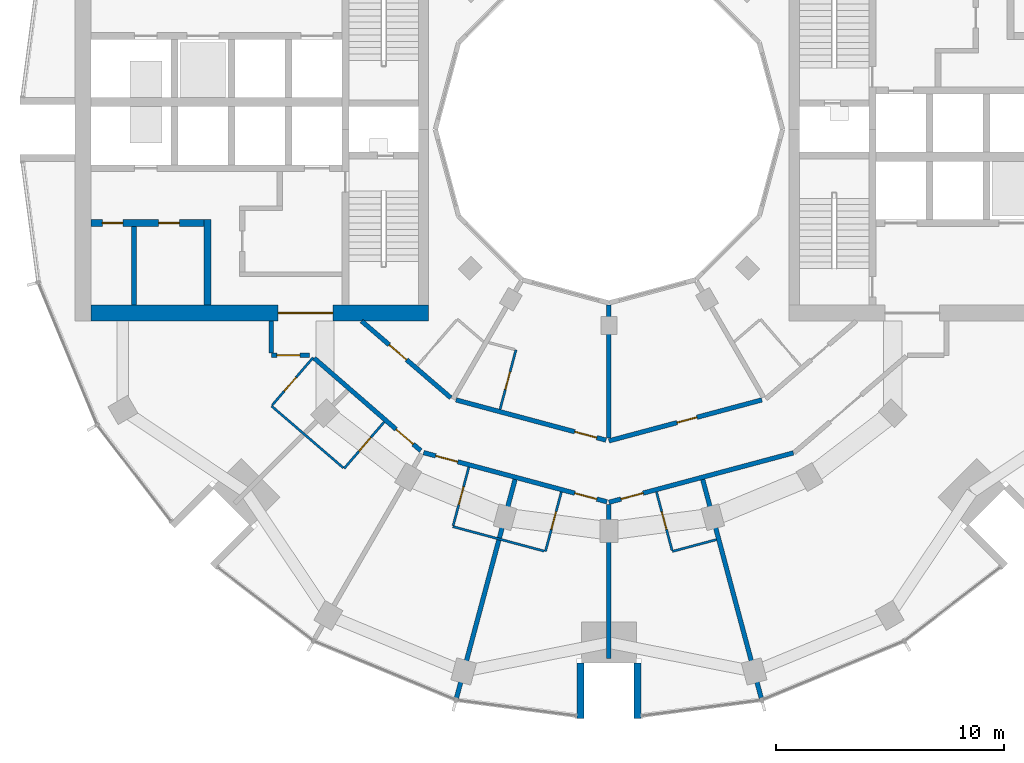
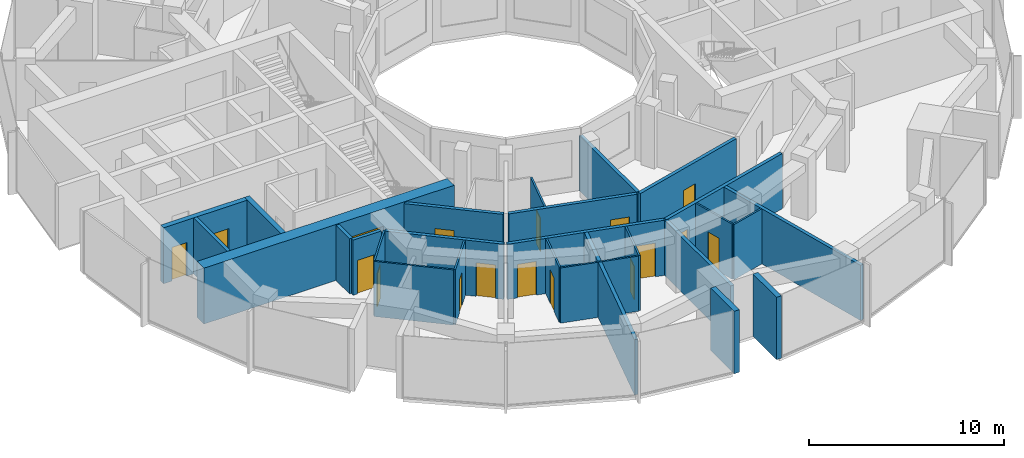
# One storey, part 8 of 15: 27 walls, 17 doors, 17 openings.
"""IFC4 building model written with IfcOpenShell, lengths in metres."""

from ifc_helpers import new_model, si_unit, direction, frame, frame_2d, origin, place, context, subcontext, project, spatial, rectangle, extrude, material, layer, layer_set, type_object, element, fill, save


model = new_model("IFC4")

# Units and contexts
model_context = context("Model", 3, precision=1e-05, world=origin(), true_north=direction((0.0, 1.0)))
body_context = subcontext(model_context, "Body", "Model", "MODEL_VIEW")
ifc_project = project(units=[si_unit("LENGTHUNIT", "METRE"), si_unit("AREAUNIT", "SQUARE_METRE"), si_unit("VOLUMEUNIT", "CUBIC_METRE"), si_unit("PLANEANGLEUNIT", "RADIAN"), si_unit("MASSUNIT", "GRAM", prefix="KILO")], contexts=[model_context])

# Site, building, storey
site_placement = place(None, origin())
site = spatial("IfcSite", under=ifc_project, at=site_placement, CompositionType="ELEMENT")
building_placement = place(site_placement, origin())
building = spatial("IfcBuilding", under=site, at=building_placement, Name="Torre Brocal", CompositionType="ELEMENT")
storey_placement = place(building_placement, frame((0.0, 0.0, 145.800048828125)))
storey = spatial("IfcBuildingStorey", under=building, at=storey_placement, Name="L34", CompositionType="ELEMENT", Elevation=145.800048828125)

# Walls
ifc_material_1 = material(Name="Masonry block", Category="masonry")
ifc_layer_1 = layer(ifc_material_1, 0.199951171875)
ifc_layer_set_1 = layer_set([ifc_layer_1], Name="Masonry block")
wall_type_1 = type_object("IfcWallType", Name="CORE PARTITION 200 UNDER 400 SLAB", PredefinedType="PARTITIONING", material=ifc_layer_set_1)
wall_1_placement = place(storey_placement, frame((59.180908203125, 70.75, 0.0), z_axis=(0.0, 0.0, 1.0), x_axis=(0.0, -1.0, 0.0)))
element("IfcWall", 1, at=wall_1_placement, inside=storey, type_object=wall_type_1, Name="Wall CP200-S400", PredefinedType="PARTITIONING", context=body_context, shape_type="SweptSolid", body=[
    extrude(rectangle(XDim=3.449951171875, YDim=0.199951171875, at=frame_2d((1.72509765625, 0.0))), origin(), (0.0, 0.0, 1.0), 3.5),
])
ifc_material_2 = material(Name="Concrete C70", Category="concrete")
ifc_layer_2 = layer(ifc_material_2, 0.300048828125)
ifc_layer_set_2 = layer_set([ifc_layer_2], Name="Concrete C70")
wall_type_2 = type_object("IfcWallType", Name="CORE WALL 300 C70 UNDER 400 SLAB", PredefinedType="SHEAR", material=ifc_layer_set_2)
wall_2_placement = place(storey_placement, frame((62.39990234375, 71.050048828125, 0.0), z_axis=(0.0, 0.0, 1.0), x_axis=(0.0, -1.0, 0.0)))
element("IfcWall", 2, at=wall_2_placement, inside=storey, type_object=wall_type_2, Name="Wall CW300-70-S400", PredefinedType="SHEAR", context=body_context, shape_type="SweptSolid", body=[
    extrude(rectangle(XDim=3.75, YDim=0.300048828125, at=frame_2d((1.875, 0.0))), origin(), (0.0, 0.0, 1.0), 3.5),
])

# Wall, openings, doors
wall_3_placement = place(storey_placement, frame((62.25, 70.89990234375, 0.0), z_axis=(0.0, 0.0, 1.0), x_axis=(-1.0, 0.0, 0.0)))
wall_3 = element("IfcWall", 3, at=wall_3_placement, inside=storey, type_object=wall_type_2, Name="Wall CW300-70-S400", PredefinedType="SHEAR", context=body_context, shape_type="SweptSolid", body=[
    extrude(rectangle(XDim=4.949951171875, YDim=0.300048828125, at=frame_2d((2.47509765625, 0.0))), origin(), (0.0, 0.0, 1.0), 3.5),
])
opening_1_placement = place(wall_3_placement, frame((1.08447265625, 0.0, 0.0)))
opening_1 = element("IfcOpeningElement", 4, at=opening_1_placement, cuts=wall_3, Name="Opening W-D05", PredefinedType="OPENING", context=body_context, shape_type="SweptSolid", body=[
    extrude(rectangle(XDim=0.89990234375, YDim=2.10009765625, at=frame_2d((0.449951171875, 1.050048828125))), frame((0.0, 0.159912109375, 0.0), z_axis=(0.0, -1.0, 0.0), x_axis=(1.0, 0.0, 0.0)), (0.0, 0.0, 1.0), 0.320068359375),
])
opening_2_placement = place(wall_3_placement, frame((3.5595703125, 0.0, 0.0)))
opening_2 = element("IfcOpeningElement", 5, at=opening_2_placement, cuts=wall_3, Name="Opening W-D06", PredefinedType="OPENING", context=body_context, shape_type="SweptSolid", body=[
    extrude(rectangle(XDim=0.89990234375, YDim=2.10009765625, at=frame_2d((0.449951171875, 1.050048828125))), frame((0.0, 0.159912109375, 0.0), z_axis=(0.0, -1.0, 0.0), x_axis=(1.0, 0.0, 0.0)), (0.0, 0.0, 1.0), 0.320068359375),
])
ifc_material_3 = material(Name="Steel A653", Category="steel")
door_type_1 = type_object("IfcDoorType", Name="ROOM DOOR FD30S 900X2100", OperationType="SINGLE_SWING_LEFT", PredefinedType="DOOR", material=ifc_material_3)
door_1_placement = place(opening_1_placement, origin())
door_1 = element("IfcDoor", 6, at=door_1_placement, inside=storey, type_object=door_type_1, Name="Door W-D05", OperationType="SINGLE_SWING_RIGHT", OverallHeight=2.10009765625, OverallWidth=0.89990234375, PredefinedType="DOOR", context=body_context, shape_type="SweptSolid", body=[
    extrude(rectangle(XDim=0.89990234375, YDim=2.10009765625, at=frame_2d((0.449951171875, 1.050048828125))), frame((0.0, 0.02490234375, 0.0), z_axis=(0.0, -1.0, 0.0), x_axis=(1.0, 0.0, 0.0)), (0.0, 0.0, 1.0), 0.050048828125),
])
fill(opening_1, door_1)
door_2_placement = place(opening_2_placement, origin())
door_2 = element("IfcDoor", 7, at=door_2_placement, inside=storey, type_object=door_type_1, Name="Door W-D06", OperationType="SINGLE_SWING_LEFT", OverallHeight=2.10009765625, OverallWidth=0.89990234375, PredefinedType="DOOR", context=body_context, shape_type="SweptSolid", body=[
    extrude(rectangle(XDim=0.89990234375, YDim=2.10009765625, at=frame_2d((0.449951171875, 1.050048828125))), frame((0.0, 0.02490234375, 0.0), z_axis=(0.0, -1.0, 0.0), x_axis=(1.0, 0.0, 0.0)), (0.0, 0.0, 1.0), 0.050048828125),
])
fill(opening_2, door_2)

# Wall, opening, door
ifc_material_4 = material(Name="Concrete C70", Category="concrete")
ifc_layer_3 = layer(ifc_material_4, 0.699951171875)
ifc_layer_set_3 = layer_set([ifc_layer_3], Name="Concrete C70")
wall_type_3 = type_object("IfcWallType", Name="CORE WALL 700 C70 UNDER 400 SLAB", PredefinedType="SHEAR", material=ifc_layer_set_3)
wall_4_placement = place(storey_placement, frame((72.10009765625, 66.949951171875, 0.0), z_axis=(0.0, 0.0, 1.0), x_axis=(-1.0, 0.0, 0.0)))
wall_4 = element("IfcWall", 8, at=wall_4_placement, inside=storey, type_object=wall_type_3, Name="Wall CW700-70-S400", PredefinedType="SHEAR", context=body_context, shape_type="SweptSolid", body=[
    extrude(rectangle(XDim=14.800048828125, YDim=0.699951171875, at=frame_2d((7.39990234375, 0.0))), origin(), (0.0, 0.0, 1.0), 3.5),
])
opening_3_placement = place(wall_4_placement, frame((4.199951171875, 0.0, 0.0)))
opening_3 = element("IfcOpeningElement", 9, at=opening_3_placement, cuts=wall_4, Name="Opening W-D24", PredefinedType="OPENING", context=body_context, shape_type="SweptSolid", body=[
    extrude(rectangle(XDim=2.39990234375, YDim=2.39990234375, at=frame_2d((1.199951171875, 1.199951171875))), frame((0.0, 0.35986328125, 0.0), z_axis=(0.0, -1.0, 0.0), x_axis=(1.0, 0.0, 0.0)), (0.0, 0.0, 1.0), 0.719970703125),
])
ifc_material_5 = material(Name="Steel A653", Category="steel")
door_type_2 = type_object("IfcDoorType", Name="DOUBLE FIRE DOOR FD90 2400X2400", OperationType="DOUBLE_DOOR_SINGLE_SWING", PredefinedType="DOOR", material=ifc_material_5)
door_3_placement = place(opening_3_placement, frame((2.39990234375, 0.0, 0.0), z_axis=(0.0, 0.0, 1.0), x_axis=(-1.0, 0.0, 0.0)))
door_3 = element("IfcDoor", 10, at=door_3_placement, inside=storey, type_object=door_type_2, Name="Door W-D24", OperationType="DOUBLE_DOOR_SINGLE_SWING", OverallHeight=2.39990234375, OverallWidth=2.39990234375, PredefinedType="DOOR", context=body_context, shape_type="SweptSolid", body=[
    extrude(rectangle(XDim=2.39990234375, YDim=2.39990234375, at=frame_2d((1.199951171875, 1.199951171875))), frame((0.0, 0.02490234375, 0.0), z_axis=(0.0, -1.0, 0.0), x_axis=(1.0, 0.0, 0.0)), (0.0, 0.0, 1.0), 0.050048828125),
])
fill(opening_3, door_3)

# Walls
ifc_material_6 = material(Name="Concrete C70", Category="concrete")
ifc_layer_4 = layer(ifc_material_6, 0.300048828125)
ifc_layer_set_4 = layer_set([ifc_layer_4], Name="Concrete C70")
wall_type_4 = type_object("IfcWallType", Name="NOTCH RETURN WALL 300 C70", PredefinedType="NOTDEFINED", material=ifc_layer_set_4)
for number, where, z_axis, x_axis, name in (
    (11, (78.75, 51.60009765625, 0.0), (0.0, 0.0, 1.0), (0.0, -1.0, 0.0), "NOTCH RETURN WALL"),
    (12, (81.25, 51.60009765625, 0.0), (0.0, 0.0, 1.0), (0.0, -1.0, 0.0), "NOTCH RETURN WALL"),
):
    element("IfcWall", number, at=place(storey_placement, frame(where, z_axis=z_axis, x_axis=x_axis)), inside=storey, type_object=wall_type_4, Name=name, PredefinedType="NOTDEFINED", context=body_context, shape_type="SweptSolid", body=[
        extrude(rectangle(XDim=2.415771484375, YDim=0.300048828125, at=frame_2d((1.2080078125, 0.0))), origin(), (0.0, 0.0, 1.0), 3.89990234375),
    ])

# Wall, opening, door
ifc_material_7 = material(Name="Gypsum board", Category="Gypsum")
ifc_layer_5 = layer(ifc_material_7, 0.10009765625)
ifc_layer_set_5 = layer_set([ifc_layer_5], Name="Gypsum board")
wall_type_5 = type_object("IfcWallType", Name="PARTITION 100", PredefinedType="PARTITIONING", material=ifc_layer_set_5)
wall_5_placement = place(storey_placement, frame((65.240478515625, 62.912841796875, 0.0), z_axis=(0.0, 0.0, 1.0), x_axis=(0.652069888227, 0.758158862553, 0.0)))
wall_5 = element("IfcWall", 13, at=wall_5_placement, inside=storey, type_object=wall_type_5, Name="BATHROOM WALL", PredefinedType="PARTITIONING", context=body_context, shape_type="SweptSolid", body=[
    extrude(rectangle(XDim=2.75, YDim=0.10009765625, at=frame_2d((1.375, 0.0))), origin(), (0.0, 0.0, 1.0), 3.449951171875),
])
opening_4_placement = place(wall_5_placement, frame((0.800048828125, 0.0, 0.0)))
opening_4 = element("IfcOpeningElement", 14, at=opening_4_placement, cuts=wall_5, Name="Opening E03-D33", PredefinedType="OPENING", context=body_context, shape_type="SweptSolid", body=[
    extrude(rectangle(XDim=0.800048828125, YDim=2.10009765625, at=frame_2d((0.39990234375, 1.050048828125))), frame((0.0, 0.06005859375, 0.0), z_axis=(0.0, -1.0, 0.0), x_axis=(1.0, 0.0, 0.0)), (0.0, 0.0, 1.0), 0.1201171875),
])
ifc_material_8 = material(Name="Timber", Category="wood")
door_type_3 = type_object("IfcDoorType", Name="BATHROOM DOOR 800X2100", OperationType="SINGLE_SWING_LEFT", PredefinedType="DOOR", material=ifc_material_8)
door_4_placement = place(opening_4_placement, frame((0.800048828125, 0.0, 0.0), z_axis=(0.0, 0.0, 1.0), x_axis=(-1.0, 0.0, 0.0)))
door_4 = element("IfcDoor", 15, at=door_4_placement, inside=storey, type_object=door_type_3, Name="E03-D33", OperationType="SINGLE_SWING_RIGHT", OverallHeight=2.10009765625, OverallWidth=0.800048828125, PredefinedType="DOOR", context=body_context, shape_type="SweptSolid", body=[
    extrude(rectangle(XDim=0.800048828125, YDim=2.10009765625, at=frame_2d((0.39990234375, 1.050048828125))), frame((0.0, 0.02490234375, 0.0), z_axis=(0.0, -1.0, 0.0), x_axis=(1.0, 0.0, 0.0)), (0.0, 0.0, 1.0), 0.050048828125),
])
fill(opening_4, door_4)

# Wall
wall_6_placement = place(storey_placement, frame((65.208251953125, 62.875244140625, 0.0), z_axis=(0.0, 0.0, 1.0), x_axis=(0.757943251005, -0.652320495045, 0.0)))
element("IfcWall", 16, at=wall_6_placement, inside=storey, type_object=wall_type_5, Name="BATHROOM WALL", PredefinedType="PARTITIONING", context=body_context, shape_type="SweptSolid", body=[
    extrude(rectangle(XDim=4.1513671875, YDim=0.10009765625, at=frame_2d((2.07568359375, 0.0))), origin(), (0.0, 0.0, 1.0), 3.449951171875),
])

# Wall, opening, door
wall_7_placement = place(storey_placement, frame((68.39306640625, 60.135009765625, 0.0), z_axis=(0.0, 0.0, 1.0), x_axis=(0.652061182569, 0.758166349944, 0.0)))
wall_7 = element("IfcWall", 17, at=wall_7_placement, inside=storey, type_object=wall_type_5, Name="BATHROOM WALL", PredefinedType="PARTITIONING", context=body_context, shape_type="SweptSolid", body=[
    extrude(rectangle(XDim=2.689697265625, YDim=0.10009765625, at=frame_2d((1.3447265625, 0.0))), origin(), (0.0, 0.0, 1.0), 3.449951171875),
])
opening_5_placement = place(wall_7_placement, frame((1.0, 0.0, 0.0)))
opening_5 = element("IfcOpeningElement", 18, at=opening_5_placement, cuts=wall_7, Name="Opening E03-D31", PredefinedType="OPENING", context=body_context, shape_type="SweptSolid", body=[
    extrude(rectangle(XDim=0.800048828125, YDim=2.10009765625, at=frame_2d((0.39990234375, 1.050048828125))), frame((0.0, 0.06005859375, 0.0), z_axis=(0.0, -1.0, 0.0), x_axis=(1.0, 0.0, 0.0)), (0.0, 0.0, 1.0), 0.1201171875),
])
door_5_placement = place(opening_5_placement, origin())
door_5 = element("IfcDoor", 19, at=door_5_placement, inside=storey, type_object=door_type_3, Name="E03-D31", OperationType="SINGLE_SWING_RIGHT", OverallHeight=2.10009765625, OverallWidth=0.800048828125, PredefinedType="DOOR", context=body_context, shape_type="SweptSolid", body=[
    extrude(rectangle(XDim=0.800048828125, YDim=2.10009765625, at=frame_2d((0.39990234375, 1.050048828125))), frame((0.0, 0.02490234375, 0.0), z_axis=(0.0, -1.0, 0.0), x_axis=(1.0, 0.0, 0.0)), (0.0, 0.0, 1.0), 0.050048828125),
])
fill(opening_5, door_5)

wall_8_placement = place(storey_placement, frame((73.173828125, 57.63623046875, 0.0), z_axis=(0.0, 0.0, 1.0), x_axis=(0.258952498977, 0.96589005755, 0.0)))
wall_8 = element("IfcWall", 20, at=wall_8_placement, inside=storey, type_object=wall_type_5, Name="BATHROOM WALL", PredefinedType="PARTITIONING", context=body_context, shape_type="SweptSolid", body=[
    extrude(rectangle(XDim=2.650146484375, YDim=0.10009765625, at=frame_2d((1.3251953125, 0.0))), origin(), (0.0, 0.0, 1.0), 3.449951171875),
])
opening_6_placement = place(wall_8_placement, frame((0.9501953125, 0.0, 0.0)))
opening_6 = element("IfcOpeningElement", 21, at=opening_6_placement, cuts=wall_8, Name="Opening E03-D29", PredefinedType="OPENING", context=body_context, shape_type="SweptSolid", body=[
    extrude(rectangle(XDim=0.800048828125, YDim=2.10009765625, at=frame_2d((0.39990234375, 1.050048828125))), frame((0.0, 0.06005859375, 0.0), z_axis=(0.0, -1.0, 0.0), x_axis=(1.0, 0.0, 0.0)), (0.0, 0.0, 1.0), 0.1201171875),
])
door_6_placement = place(opening_6_placement, frame((0.800048828125, 0.0, 0.0), z_axis=(0.0, 0.0, 1.0), x_axis=(-1.0, 0.0, 0.0)))
door_6 = element("IfcDoor", 22, at=door_6_placement, inside=storey, type_object=door_type_3, Name="E03-D29", OperationType="SINGLE_SWING_LEFT", OverallHeight=2.10009765625, OverallWidth=0.800048828125, PredefinedType="DOOR", context=body_context, shape_type="SweptSolid", body=[
    extrude(rectangle(XDim=0.800048828125, YDim=2.10009765625, at=frame_2d((0.39990234375, 1.050048828125))), frame((0.0, 0.02490234375, 0.0), z_axis=(0.0, -1.0, 0.0), x_axis=(1.0, 0.0, 0.0)), (0.0, 0.0, 1.0), 0.050048828125),
])
fill(opening_6, door_6)

# Wall
wall_9_placement = place(storey_placement, frame((73.160888671875, 57.587890625, 0.0), z_axis=(0.0, 0.0, 1.0), x_axis=(0.965858994467, -0.259068336173, 0.0)))
element("IfcWall", 23, at=wall_9_placement, inside=storey, type_object=wall_type_5, Name="BATHROOM WALL", PredefinedType="PARTITIONING", context=body_context, shape_type="SweptSolid", body=[
    extrude(rectangle(XDim=4.150146484375, YDim=0.10009765625, at=frame_2d((2.0751953125, 0.0))), origin(), (0.0, 0.0, 1.0), 3.449951171875),
])

# Wall, opening, door
wall_10_placement = place(storey_placement, frame((75.226806640625, 62.728759765625, 0.0), z_axis=(0.0, 0.0, 1.0), x_axis=(0.258945475746, 0.965891940432, 0.0)))
wall_10 = element("IfcWall", 24, at=wall_10_placement, inside=storey, type_object=wall_type_5, Name="BATHROOM WALL", PredefinedType="PARTITIONING", context=body_context, shape_type="SweptSolid", body=[
    extrude(rectangle(XDim=2.7001953125, YDim=0.10009765625, at=frame_2d((1.35009765625, 0.0))), origin(), (0.0, 0.0, 1.0), 3.449951171875),
])
opening_7_placement = place(wall_10_placement, frame((0.900146484375, 0.0, 0.0)))
opening_7 = element("IfcOpeningElement", 25, at=opening_7_placement, cuts=wall_10, Name="Opening E03-D38", PredefinedType="OPENING", context=body_context, shape_type="SweptSolid", body=[
    extrude(rectangle(XDim=0.800048828125, YDim=2.10009765625, at=frame_2d((0.39990234375, 1.050048828125))), frame((0.0, 0.06005859375, 0.0), z_axis=(0.0, -1.0, 0.0), x_axis=(1.0, 0.0, 0.0)), (0.0, 0.0, 1.0), 0.1201171875),
])
door_7_placement = place(opening_7_placement, origin())
door_7 = element("IfcDoor", 26, at=door_7_placement, inside=storey, type_object=door_type_3, Name="E03-D38", OperationType="SINGLE_SWING_LEFT", OverallHeight=2.10009765625, OverallWidth=0.800048828125, PredefinedType="DOOR", context=body_context, shape_type="SweptSolid", body=[
    extrude(rectangle(XDim=0.800048828125, YDim=2.10009765625, at=frame_2d((0.39990234375, 1.050048828125))), frame((0.0, 0.02490234375, 0.0), z_axis=(0.0, -1.0, 0.0), x_axis=(1.0, 0.0, 0.0)), (0.0, 0.0, 1.0), 0.050048828125),
])
fill(opening_7, door_7)

wall_11_placement = place(storey_placement, frame((77.218017578125, 56.5009765625, 0.0), z_axis=(0.0, 0.0, 1.0), x_axis=(0.258591408257, 0.965986792651, 0.0)))
wall_11 = element("IfcWall", 27, at=wall_11_placement, inside=storey, type_object=wall_type_5, Name="BATHROOM WALL", PredefinedType="PARTITIONING", context=body_context, shape_type="SweptSolid", body=[
    extrude(rectangle(XDim=2.69921875, YDim=0.10009765625, at=frame_2d((1.349609375, 0.0))), origin(), (0.0, 0.0, 1.0), 3.449951171875),
])
opening_8_placement = place(wall_11_placement, frame((0.99951171875, 0.0, 0.0)))
opening_8 = element("IfcOpeningElement", 28, at=opening_8_placement, cuts=wall_11, Name="Opening E03-D27", PredefinedType="OPENING", context=body_context, shape_type="SweptSolid", body=[
    extrude(rectangle(XDim=0.800048828125, YDim=2.10009765625, at=frame_2d((0.39990234375, 1.050048828125))), frame((0.0, 0.06005859375, 0.0), z_axis=(0.0, -1.0, 0.0), x_axis=(1.0, 0.0, 0.0)), (0.0, 0.0, 1.0), 0.1201171875),
])
door_8_placement = place(opening_8_placement, origin())
door_8 = element("IfcDoor", 29, at=door_8_placement, inside=storey, type_object=door_type_3, Name="E03-D27", OperationType="SINGLE_SWING_RIGHT", OverallHeight=2.10009765625, OverallWidth=0.800048828125, PredefinedType="DOOR", context=body_context, shape_type="SweptSolid", body=[
    extrude(rectangle(XDim=0.800048828125, YDim=2.10009765625, at=frame_2d((0.39990234375, 1.050048828125))), frame((0.0, 0.02490234375, 0.0), z_axis=(0.0, -1.0, 0.0), x_axis=(1.0, 0.0, 0.0)), (0.0, 0.0, 1.0), 0.050048828125),
])
fill(opening_8, door_8)

wall_12_placement = place(storey_placement, frame((82.083984375, 59.1083984375, 0.0), z_axis=(0.0, 0.0, 1.0), x_axis=(0.258591746437, -0.965986702121, 0.0)))
wall_12 = element("IfcWall", 30, at=wall_12_placement, inside=storey, type_object=wall_type_5, Name="BATHROOM WALL", PredefinedType="PARTITIONING", context=body_context, shape_type="SweptSolid", body=[
    extrude(rectangle(XDim=2.649169921875, YDim=0.10009765625, at=frame_2d((1.32470703125, 0.0))), origin(), (0.0, 0.0, 1.0), 3.449951171875),
])
opening_9_placement = place(wall_12_placement, frame((0.899658203125, 0.0, 0.0)))
opening_9 = element("IfcOpeningElement", 31, at=opening_9_placement, cuts=wall_12, Name="Opening E03-D25", PredefinedType="OPENING", context=body_context, shape_type="SweptSolid", body=[
    extrude(rectangle(XDim=0.800048828125, YDim=2.10009765625, at=frame_2d((0.39990234375, 1.050048828125))), frame((0.0, 0.06005859375, 0.0), z_axis=(0.0, -1.0, 0.0), x_axis=(1.0, 0.0, 0.0)), (0.0, 0.0, 1.0), 0.1201171875),
])
door_9_placement = place(opening_9_placement, origin())
door_9 = element("IfcDoor", 32, at=door_9_placement, inside=storey, type_object=door_type_3, Name="E03-D25", OperationType="SINGLE_SWING_LEFT", OverallHeight=2.10009765625, OverallWidth=0.800048828125, PredefinedType="DOOR", context=body_context, shape_type="SweptSolid", body=[
    extrude(rectangle(XDim=0.800048828125, YDim=2.10009765625, at=frame_2d((0.39990234375, 1.050048828125))), frame((0.0, 0.02490234375, 0.0), z_axis=(0.0, -1.0, 0.0), x_axis=(1.0, 0.0, 0.0)), (0.0, 0.0, 1.0), 0.050048828125),
])
fill(opening_9, door_9)

# Walls
wall_13_placement = place(storey_placement, frame((82.781982421875, 56.5009765625, 0.0), z_axis=(0.0, 0.0, 1.0), x_axis=(0.966003594778, 0.258528634539, 0.0)))
element("IfcWall", 33, at=wall_13_placement, inside=storey, type_object=wall_type_5, Name="BATHROOM WALL", PredefinedType="PARTITIONING", context=body_context, shape_type="SweptSolid", body=[
    extrude(rectangle(XDim=2.000244140625, YDim=0.10009765625, at=frame_2d((1.0, 0.0))), origin(), (0.0, 0.0, 1.0), 3.449951171875),
])
ifc_material_9 = material(Name="Gypsum board", Category="Gypsum")
ifc_layer_6 = layer(ifc_material_9, 0.199951171875)
ifc_layer_set_6 = layer_set([ifc_layer_6], Name="Gypsum board")
wall_type_6 = type_object("IfcWallType", Name="PARTITION 200 EI60", PredefinedType="PARTITIONING", material=ifc_layer_set_6)
wall_14_placement = place(storey_placement, frame((65.199951171875, 65.199951171875, 0.0), z_axis=(0.0, 0.0, 1.0), x_axis=(0.0, 1.0, 0.0)))
element("IfcWall", 34, at=wall_14_placement, inside=storey, type_object=wall_type_6, Name="GUESTROOM CORRIDOR WALL", PredefinedType="PARTITIONING", context=body_context, shape_type="SweptSolid", body=[
    extrude(rectangle(XDim=1.399169921875, YDim=0.199951171875, at=frame_2d((0.69970703125, 0.0))), origin(), (0.0, 0.0, 1.0), 3.449951171875),
])

# Wall, opening, door
wall_15_placement = place(storey_placement, frame((65.199951171875, 65.10009765625, 0.0), z_axis=(0.0, 0.0, 1.0), x_axis=(1.0, 0.0, 0.0)))
wall_15 = element("IfcWall", 35, at=wall_15_placement, inside=storey, type_object=wall_type_6, Name="GUESTROOM CORRIDOR WALL", PredefinedType="PARTITIONING", context=body_context, shape_type="SweptSolid", body=[
    extrude(rectangle(XDim=1.6650390625, YDim=0.199951171875, at=frame_2d((0.83251953125, 0.0))), origin(), (0.0, 0.0, 1.0), 3.449951171875),
])
opening_10_placement = place(wall_15_placement, frame((0.25, 0.0, 0.0)))
opening_10 = element("IfcOpeningElement", 36, at=opening_10_placement, cuts=wall_15, Name="Opening E03-D32", PredefinedType="OPENING", context=body_context, shape_type="SweptSolid", body=[
    extrude(rectangle(XDim=1.0, YDim=2.10009765625, at=frame_2d((0.5, 1.050048828125))), frame((0.0, 0.10986328125, 0.0), z_axis=(0.0, -1.0, 0.0), x_axis=(1.0, 0.0, 0.0)), (0.0, 0.0, 1.0), 0.219970703125),
])
ifc_material_10 = material(Name="Timber", Category="wood")
door_type_4 = type_object("IfcDoorType", Name="FLAT ENTRY DOOR FD30S 1000X2100", OperationType="SINGLE_SWING_RIGHT", PredefinedType="DOOR", material=ifc_material_10)
door_10_placement = place(opening_10_placement, frame((1.0, 0.0, 0.0), z_axis=(0.0, 0.0, 1.0), x_axis=(-1.0, 0.0, 0.0)))
door_10 = element("IfcDoor", 37, at=door_10_placement, inside=storey, type_object=door_type_4, Name="E03-D32", OperationType="SINGLE_SWING_RIGHT", OverallHeight=2.10009765625, OverallWidth=1.0, PredefinedType="DOOR", context=body_context, shape_type="SweptSolid", body=[
    extrude(rectangle(XDim=1.0, YDim=2.10009765625, at=frame_2d((0.5, 1.050048828125))), frame((0.0, 0.02490234375, 0.0), z_axis=(0.0, -1.0, 0.0), x_axis=(1.0, 0.0, 0.0)), (0.0, 0.0, 1.0), 0.050048828125),
])
fill(opening_10, door_10)

wall_16_placement = place(storey_placement, frame((67.08154296875, 64.9716796875, 0.0), z_axis=(0.0, 0.0, 1.0), x_axis=(0.755031061605, -0.65568902386, 0.0)))
wall_16 = element("IfcWall", 38, at=wall_16_placement, inside=storey, type_object=wall_type_6, Name="GUESTROOM CORRIDOR WALL", PredefinedType="PARTITIONING", context=body_context, shape_type="SweptSolid", body=[
    extrude(rectangle(XDim=6.185791015625, YDim=0.199951171875, at=frame_2d((3.0927734375, 0.0))), origin(), (0.0, 0.0, 1.0), 3.449951171875),
])
opening_11_placement = place(wall_16_placement, frame((4.755126953125, 0.0, 0.0)))
opening_11 = element("IfcOpeningElement", 39, at=opening_11_placement, cuts=wall_16, Name="Opening E03-D30", PredefinedType="OPENING", context=body_context, shape_type="SweptSolid", body=[
    extrude(rectangle(XDim=1.0, YDim=2.10009765625, at=frame_2d((0.5, 1.050048828125))), frame((0.0, 0.10986328125, 0.0), z_axis=(0.0, -1.0, 0.0), x_axis=(1.0, 0.0, 0.0)), (0.0, 0.0, 1.0), 0.219970703125),
])
door_11_placement = place(opening_11_placement, frame((1.0, 0.0, 0.0), z_axis=(0.0, 0.0, 1.0), x_axis=(-1.0, 0.0, 0.0)))
door_11 = element("IfcDoor", 40, at=door_11_placement, inside=storey, type_object=door_type_4, Name="E03-D30", OperationType="SINGLE_SWING_LEFT", OverallHeight=2.10009765625, OverallWidth=1.0, PredefinedType="DOOR", context=body_context, shape_type="SweptSolid", body=[
    extrude(rectangle(XDim=1.0, YDim=2.10009765625, at=frame_2d((0.5, 1.050048828125))), frame((0.0, 0.02490234375, 0.0), z_axis=(0.0, -1.0, 0.0), x_axis=(1.0, 0.0, 0.0)), (0.0, 0.0, 1.0), 0.050048828125),
])
fill(opening_11, door_11)

wall_17_placement = place(storey_placement, frame((69.158203125, 66.60009765625, 0.0), z_axis=(0.0, 0.0, 1.0), x_axis=(0.757976058094, -0.652282373943, 0.0)))
wall_17 = element("IfcWall", 41, at=wall_17_placement, inside=storey, type_object=wall_type_6, Name="GUESTROOM CORRIDOR WALL", PredefinedType="PARTITIONING", context=body_context, shape_type="SweptSolid", body=[
    extrude(rectangle(XDim=5.160400390625, YDim=0.199951171875, at=frame_2d((2.580078125, 0.0))), origin(), (0.0, 0.0, 1.0), 3.449951171875),
])
opening_12_placement = place(wall_17_placement, frame((1.60009765625, 0.0, 0.0)))
opening_12 = element("IfcOpeningElement", 42, at=opening_12_placement, cuts=wall_17, Name="Opening E03-D39", PredefinedType="OPENING", context=body_context, shape_type="SweptSolid", body=[
    extrude(rectangle(XDim=1.0, YDim=2.10009765625, at=frame_2d((0.5, 1.050048828125))), frame((0.0, 0.10986328125, 0.0), z_axis=(0.0, -1.0, 0.0), x_axis=(1.0, 0.0, 0.0)), (0.0, 0.0, 1.0), 0.219970703125),
])
door_12_placement = place(opening_12_placement, origin())
door_12 = element("IfcDoor", 43, at=door_12_placement, inside=storey, type_object=door_type_4, Name="E03-D39", OperationType="SINGLE_SWING_RIGHT", OverallHeight=2.10009765625, OverallWidth=1.0, PredefinedType="DOOR", context=body_context, shape_type="SweptSolid", body=[
    extrude(rectangle(XDim=1.0, YDim=2.10009765625, at=frame_2d((0.5, 1.050048828125))), frame((0.0, 0.02490234375, 0.0), z_axis=(0.0, -1.0, 0.0), x_axis=(1.0, 0.0, 0.0)), (0.0, 0.0, 1.0), 0.050048828125),
])
fill(opening_12, door_12)

# Wall, openings, doors
wall_18_placement = place(storey_placement, frame((71.877197265625, 60.83154296875, 0.0), z_axis=(0.0, 0.0, 1.0), x_axis=(0.965852509869, -0.259092510851, 0.0)))
wall_18 = element("IfcWall", 44, at=wall_18_placement, inside=storey, type_object=wall_type_6, Name="GUESTROOM CORRIDOR WALL", PredefinedType="PARTITIONING", context=body_context, shape_type="SweptSolid", body=[
    extrude(rectangle(XDim=8.319580078125, YDim=0.199951171875, at=frame_2d((4.15966796875, 0.0))), origin(), (0.0, 0.0, 1.0), 3.449951171875),
])
opening_13_placement = place(wall_18_placement, frame((6.859619140625, 0.0, 0.0)))
opening_13 = element("IfcOpeningElement", 45, at=opening_13_placement, cuts=wall_18, Name="Opening E03-D26", PredefinedType="OPENING", context=body_context, shape_type="SweptSolid", body=[
    extrude(rectangle(XDim=1.0, YDim=2.10009765625, at=frame_2d((0.5, 1.050048828125))), frame((0.0, 0.10986328125, 0.0), z_axis=(0.0, -1.0, 0.0), x_axis=(1.0, 0.0, 0.0)), (0.0, 0.0, 1.0), 0.219970703125),
])
opening_14_placement = place(wall_18_placement, frame((0.550048828125, 0.0, 0.0)))
opening_14 = element("IfcOpeningElement", 46, at=opening_14_placement, cuts=wall_18, Name="Opening E03-D28", PredefinedType="OPENING", context=body_context, shape_type="SweptSolid", body=[
    extrude(rectangle(XDim=1.0, YDim=2.10009765625, at=frame_2d((0.5, 1.050048828125))), frame((0.0, 0.10986328125, 0.0), z_axis=(0.0, -1.0, 0.0), x_axis=(1.0, 0.0, 0.0)), (0.0, 0.0, 1.0), 0.219970703125),
])
door_13_placement = place(opening_13_placement, frame((1.0, 0.0, 0.0), z_axis=(0.0, 0.0, 1.0), x_axis=(-1.0, 0.0, 0.0)))
door_13 = element("IfcDoor", 47, at=door_13_placement, inside=storey, type_object=door_type_4, Name="E03-D26", OperationType="SINGLE_SWING_RIGHT", OverallHeight=2.10009765625, OverallWidth=1.0, PredefinedType="DOOR", context=body_context, shape_type="SweptSolid", body=[
    extrude(rectangle(XDim=1.0, YDim=2.10009765625, at=frame_2d((0.5, 1.050048828125))), frame((0.0, 0.02490234375, 0.0), z_axis=(0.0, -1.0, 0.0), x_axis=(1.0, 0.0, 0.0)), (0.0, 0.0, 1.0), 0.050048828125),
])
fill(opening_13, door_13)
door_14_placement = place(opening_14_placement, frame((1.0, 0.0, 0.0), z_axis=(0.0, 0.0, 1.0), x_axis=(-1.0, 0.0, 0.0)))
door_14 = element("IfcDoor", 48, at=door_14_placement, inside=storey, type_object=door_type_4, Name="E03-D28", OperationType="SINGLE_SWING_LEFT", OverallHeight=2.10009765625, OverallWidth=1.0, PredefinedType="DOOR", context=body_context, shape_type="SweptSolid", body=[
    extrude(rectangle(XDim=1.0, YDim=2.10009765625, at=frame_2d((0.5, 1.050048828125))), frame((0.0, 0.02490234375, 0.0), z_axis=(0.0, -1.0, 0.0), x_axis=(1.0, 0.0, 0.0)), (0.0, 0.0, 1.0), 0.050048828125),
])
fill(opening_14, door_14)

# Wall, opening, door
wall_19_placement = place(storey_placement, frame((73.296875, 63.142578125, 0.0), z_axis=(0.0, 0.0, 1.0), x_axis=(0.965859030528, -0.25906820173, 0.0)))
wall_19 = element("IfcWall", 49, at=wall_19_placement, inside=storey, type_object=wall_type_6, Name="GUESTROOM CORRIDOR WALL", PredefinedType="PARTITIONING", context=body_context, shape_type="SweptSolid", body=[
    extrude(rectangle(XDim=6.8095703125, YDim=0.199951171875, at=frame_2d((3.40478515625, 0.0))), origin(), (0.0, 0.0, 1.0), 3.449951171875),
])
opening_15_placement = place(wall_19_placement, frame((5.3896484375, 0.0, 0.0)))
opening_15 = element("IfcOpeningElement", 50, at=opening_15_placement, cuts=wall_19, Name="Opening E03-D37", PredefinedType="OPENING", context=body_context, shape_type="SweptSolid", body=[
    extrude(rectangle(XDim=1.0, YDim=2.10009765625, at=frame_2d((0.5, 1.050048828125))), frame((0.0, 0.10986328125, 0.0), z_axis=(0.0, -1.0, 0.0), x_axis=(1.0, 0.0, 0.0)), (0.0, 0.0, 1.0), 0.219970703125),
])
door_15_placement = place(opening_15_placement, origin())
door_15 = element("IfcDoor", 51, at=door_15_placement, inside=storey, type_object=door_type_4, Name="E03-D37", OperationType="SINGLE_SWING_RIGHT", OverallHeight=2.10009765625, OverallWidth=1.0, PredefinedType="DOOR", context=body_context, shape_type="SweptSolid", body=[
    extrude(rectangle(XDim=1.0, YDim=2.10009765625, at=frame_2d((0.5, 1.050048828125))), frame((0.0, 0.02490234375, 0.0), z_axis=(0.0, -1.0, 0.0), x_axis=(1.0, 0.0, 0.0)), (0.0, 0.0, 1.0), 0.050048828125),
])
fill(opening_15, door_15)

# Walls
wall_20_placement = place(storey_placement, frame((73.32080078125, 50.081298828125, 0.0), z_axis=(0.0, 0.0, 1.0), x_axis=(0.258889198551, 0.965907025999, 0.0)))
element("IfcWall", 52, at=wall_20_placement, inside=storey, type_object=wall_type_6, Name="BATHROOM WALL", PredefinedType="PARTITIONING", context=body_context, shape_type="SweptSolid", body=[
    extrude(rectangle(XDim=9.909423828125, YDim=0.199951171875, at=frame_2d((4.95458984375, 0.0))), origin(), (0.0, 0.0, 1.0), 3.449951171875),
])
wall_21_placement = place(storey_placement, frame((80.0, 51.800048828125, 0.0), z_axis=(0.0, 0.0, 1.0), x_axis=(0.0, 1.0, 0.0)))
element("IfcWall", 53, at=wall_21_placement, inside=storey, type_object=wall_type_6, Name="PARTY PARTITION", PredefinedType="PARTITIONING", context=body_context, shape_type="SweptSolid", body=[
    extrude(rectangle(XDim=6.763916015625, YDim=0.199951171875, at=frame_2d((3.3818359375, 0.0))), origin(), (0.0, 0.0, 1.0), 3.449951171875),
])

# Wall, opening, door
wall_22_placement = place(storey_placement, frame((80.0, 58.654296875, 0.0), z_axis=(0.0, 0.0, 1.0), x_axis=(0.965979808777, 0.25861749561, 0.0)))
wall_22 = element("IfcWall", 54, at=wall_22_placement, inside=storey, type_object=wall_type_6, Name="GUESTROOM CORRIDOR WALL", PredefinedType="PARTITIONING", context=body_context, shape_type="SweptSolid", body=[
    extrude(rectangle(XDim=8.36962890625, YDim=0.199951171875, at=frame_2d((4.184814453125, 0.0))), origin(), (0.0, 0.0, 1.0), 3.449951171875),
])
opening_16_placement = place(wall_22_placement, frame((0.550048828125, 0.0, 0.0)))
opening_16 = element("IfcOpeningElement", 55, at=opening_16_placement, cuts=wall_22, Name="Opening E03-D24", PredefinedType="OPENING", context=body_context, shape_type="SweptSolid", body=[
    extrude(rectangle(XDim=1.0, YDim=2.10009765625, at=frame_2d((0.5, 1.050048828125))), frame((0.0, 0.10986328125, 0.0), z_axis=(0.0, -1.0, 0.0), x_axis=(1.0, 0.0, 0.0)), (0.0, 0.0, 1.0), 0.219970703125),
])
door_16_placement = place(opening_16_placement, frame((1.0, 0.0, 0.0), z_axis=(0.0, 0.0, 1.0), x_axis=(-1.0, 0.0, 0.0)))
door_16 = element("IfcDoor", 56, at=door_16_placement, inside=storey, type_object=door_type_4, Name="E03-D24", OperationType="SINGLE_SWING_LEFT", OverallHeight=2.10009765625, OverallWidth=1.0, PredefinedType="DOOR", context=body_context, shape_type="SweptSolid", body=[
    extrude(rectangle(XDim=1.0, YDim=2.10009765625, at=frame_2d((0.5, 1.050048828125))), frame((0.0, 0.02490234375, 0.0), z_axis=(0.0, -1.0, 0.0), x_axis=(1.0, 0.0, 0.0)), (0.0, 0.0, 1.0), 0.050048828125),
])
fill(opening_16, door_16)

# Wall
wall_23_placement = place(storey_placement, frame((80.0, 61.47607421875, 0.0), z_axis=(0.0, 0.0, 1.0), x_axis=(0.0, 1.0, 0.0)))
element("IfcWall", 57, at=wall_23_placement, inside=storey, type_object=wall_type_6, Name="SERVICE ROOM WALL", PredefinedType="PARTITIONING", context=body_context, shape_type="SweptSolid", body=[
    extrude(rectangle(XDim=5.824951171875, YDim=0.199951171875, at=frame_2d((2.91259765625, 0.0))), origin(), (0.0, 0.0, 1.0), 3.449951171875),
])

# Wall, opening, door
wall_24_placement = place(storey_placement, frame((80.0, 61.345947265625, 0.0), z_axis=(0.0, 0.0, 1.0), x_axis=(0.965915385935, 0.25885800589, 0.0)))
wall_24 = element("IfcWall", 58, at=wall_24_placement, inside=storey, type_object=wall_type_6, Name="GUESTROOM CORRIDOR WALL", PredefinedType="PARTITIONING", context=body_context, shape_type="SweptSolid", body=[
    extrude(rectangle(XDim=6.939697265625, YDim=0.199951171875, at=frame_2d((3.4697265625, 0.0))), origin(), (0.0, 0.0, 1.0), 3.449951171875),
])
opening_17_placement = place(wall_24_placement, frame((3.09375, 0.0, 0.0)))
opening_17 = element("IfcOpeningElement", 59, at=opening_17_placement, cuts=wall_24, Name="Opening E03-D36", PredefinedType="OPENING", context=body_context, shape_type="SweptSolid", body=[
    extrude(rectangle(XDim=0.89990234375, YDim=2.10009765625, at=frame_2d((0.449951171875, 1.050048828125))), frame((0.0, 0.10986328125, 0.0), z_axis=(0.0, -1.0, 0.0), x_axis=(1.0, 0.0, 0.0)), (0.0, 0.0, 1.0), 0.219970703125),
])
ifc_material_11 = material(Name="Timber", Category="wood")
door_type_5 = type_object("IfcDoorType", Name="ROOM DOOR 900X2100", OperationType="SINGLE_SWING_LEFT", PredefinedType="DOOR", material=ifc_material_11)
door_17_placement = place(opening_17_placement, origin())
door_17 = element("IfcDoor", 60, at=door_17_placement, inside=storey, type_object=door_type_5, Name="E03-D36", OperationType="SINGLE_SWING_RIGHT", OverallHeight=2.10009765625, OverallWidth=0.89990234375, PredefinedType="DOOR", context=body_context, shape_type="SweptSolid", body=[
    extrude(rectangle(XDim=0.89990234375, YDim=2.10009765625, at=frame_2d((0.449951171875, 1.050048828125))), frame((0.0, 0.02490234375, 0.0), z_axis=(0.0, -1.0, 0.0), x_axis=(1.0, 0.0, 0.0)), (0.0, 0.0, 1.0), 0.050048828125),
])
fill(opening_17, door_17)

# Wall
wall_25_placement = place(storey_placement, frame((84.1123046875, 59.651611328125, 0.0), z_axis=(0.0, 0.0, 1.0), x_axis=(0.25878658041, -0.965934524593, 0.0)))
element("IfcWall", 61, at=wall_25_placement, inside=storey, type_object=wall_type_6, Name="BATHROOM WALL", PredefinedType="PARTITIONING", context=body_context, shape_type="SweptSolid", body=[
    extrude(rectangle(XDim=9.90869140625, YDim=0.199951171875, at=frame_2d((4.954345703125, 0.0))), origin(), (0.0, 0.0, 1.0), 3.449951171875),
])

save(model, "model.ifc")
